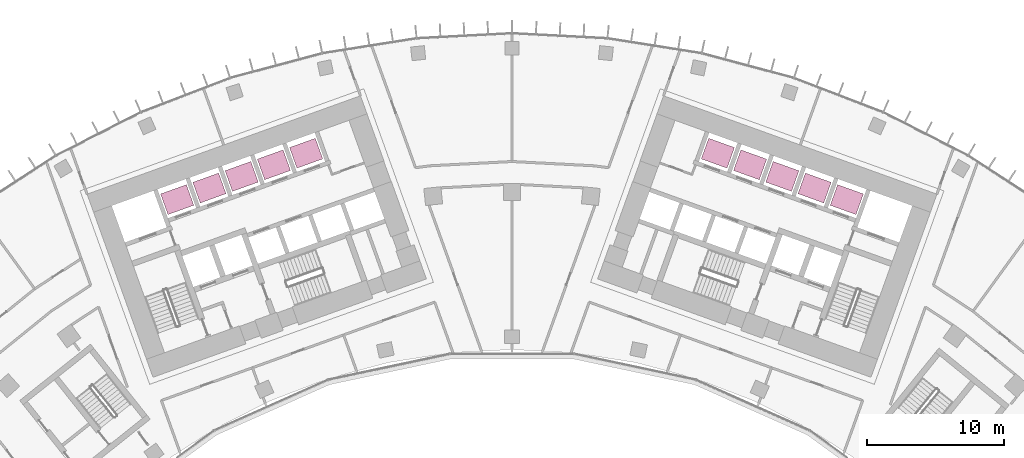
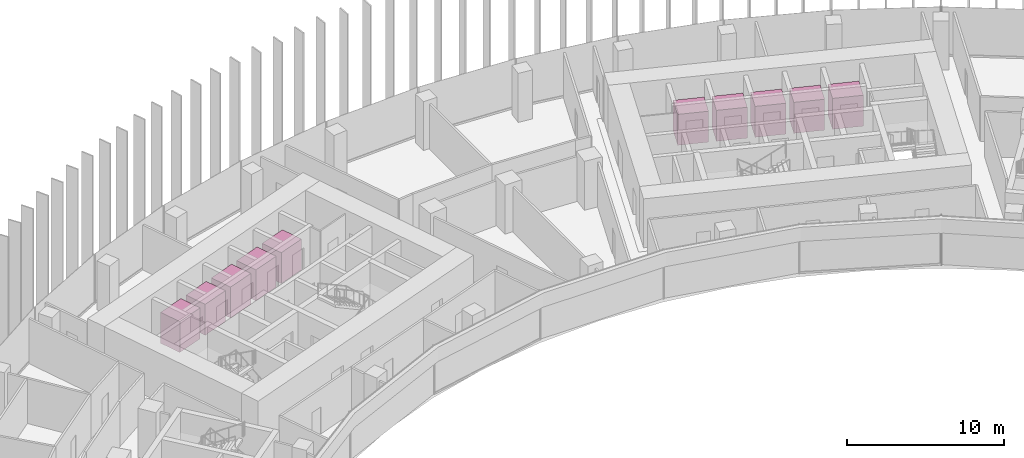
# One storey, part 23 of 23: 10 transport elements.
"""IFC4 building model written with IfcOpenShell, lengths in metres."""

from ifc_helpers import new_model, si_unit, direction, frame, origin, origin_2d, place, context, subcontext, project, spatial, rectangle, extrude, material, type_object, element, save


model = new_model("IFC4")

# Units and contexts
model_context = context("Model", 3, precision=1e-05, world=origin(), true_north=direction((0.0, 1.0)))
body_context = subcontext(model_context, "Body", "Model", "MODEL_VIEW")
ifc_project = project(units=[si_unit("LENGTHUNIT", "METRE"), si_unit("AREAUNIT", "SQUARE_METRE"), si_unit("VOLUMEUNIT", "CUBIC_METRE"), si_unit("PLANEANGLEUNIT", "RADIAN"), si_unit("MASSUNIT", "GRAM", prefix="KILO")], contexts=[model_context])

# Site, building, storey
site_placement = place(None, origin())
site = spatial("IfcSite", under=ifc_project, at=site_placement, CompositionType="ELEMENT")
building_placement = place(site_placement, origin())
building = spatial("IfcBuilding", under=site, at=building_placement, Name="Stone Belt Terrace Tower", CompositionType="ELEMENT")
storey_placement = place(building_placement, frame((0.0, 0.0, 144.0)))
storey = spatial("IfcBuildingStorey", under=building, at=storey_placement, Name="L34", CompositionType="ELEMENT", Elevation=144.0)

# Transport elements
ifc_material = material(Name="Stainless steel 316", Category="steel")
transport_element_type = type_object("IfcTransportElementType", Name="Passenger lift car 2000x1600", PredefinedType="ELEVATOR", material=ifc_material)
for number, where, z_axis, x_axis, name in (
    (1, (-24.42919921875, 54.444091796875, 0.0), (0.0, 0.0, 1.0), (0.940921555566, 0.338624609665, 0.0), "MR1A"),
    (2, (-22.076904296875, 55.290771484375, 0.0), (0.0, 0.0, 1.0), (0.940921555566, 0.338624609665, 0.0), "MR2A"),
    (3, (-19.724609375, 56.13720703125, 0.0), (0.0, 0.0, 1.0), (0.940921555566, 0.338624609665, 0.0), "MR3A"),
    (4, (-17.372314453125, 56.98388671875, 0.0), (0.0, 0.0, 1.0), (0.940921555566, 0.338624609665, 0.0), "MR4A"),
    (5, (-15.02001953125, 57.830322265625, 0.0), (0.0, 0.0, 1.0), (0.940921555566, 0.338624609665, 0.0), "MR5A"),
    (6, (24.42919921875, 54.444091796875, 0.0), (0.0, 0.0, 1.0), (-0.940921555566, 0.338624609665, 0.0), "MR1B"),
    (7, (22.076904296875, 55.290771484375, 0.0), (0.0, 0.0, 1.0), (-0.940921555566, 0.338624609665, 0.0), "MR2B"),
    (8, (19.724609375, 56.13720703125, 0.0), (0.0, 0.0, 1.0), (-0.940921555566, 0.338624609665, 0.0), "MR3B"),
    (9, (17.372314453125, 56.98388671875, 0.0), (0.0, 0.0, 1.0), (-0.940921555566, 0.338624609665, 0.0), "MR4B"),
    (10, (15.02001953125, 57.830322265625, 0.0), (0.0, 0.0, 1.0), (-0.940921555566, 0.338624609665, 0.0), "MR5B"),
):
    element("IfcTransportElement", number, at=place(storey_placement, frame(where, z_axis=z_axis, x_axis=x_axis)), inside=storey, type_object=transport_element_type, Name=name, PredefinedType="ELEVATOR", context=body_context, shape_type="SweptSolid", body=[
        extrude(rectangle(XDim=2.0, YDim=1.60009765625, at=origin_2d()), origin(), (0.0, 0.0, 1.0), 2.39990234375),
    ])

save(model, "model.ifc")
